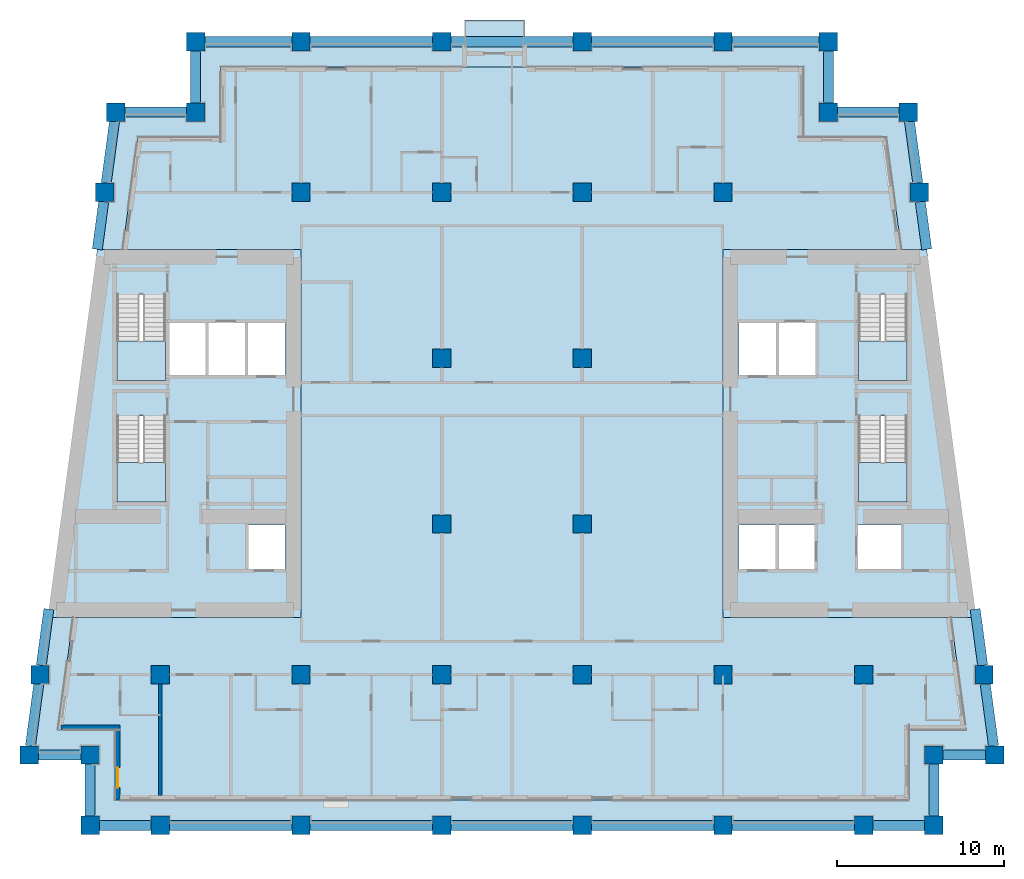
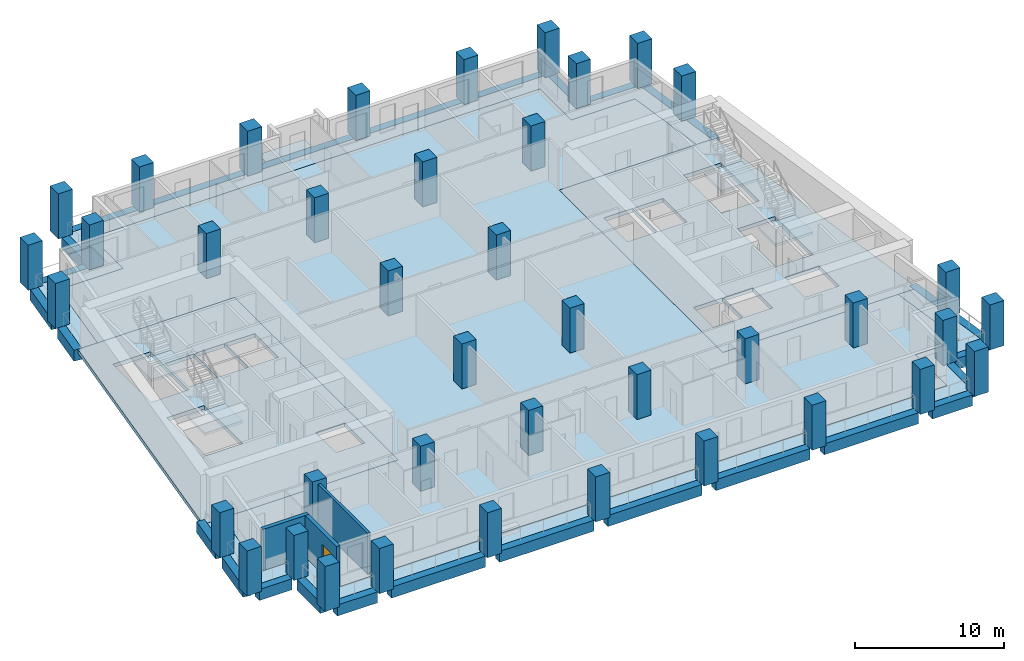
# One storey, part 1 of 13: 40 columns, 28 beams, 10 slabs, 3 walls, 1 door, 1 opening, 4 elements without a shape of their own.
"""IFC4 building model written with IfcOpenShell, lengths in metres."""

from ifc_helpers import new_model, si_unit, direction, frame, frame_2d, origin, origin_2d, place, context, subcontext, project, spatial, polyline, rectangle, outline, extrude, material, layer, layer_set, material_profile, profile_set, type_object, element, fill, aggregate, save


model = new_model("IFC4")

# Units and contexts
model_context = context("Model", 3, precision=1e-05, world=origin(), true_north=direction((0.0, 1.0)))
body_context = subcontext(model_context, "Body", "Model", "MODEL_VIEW")
ifc_project = project(units=[si_unit("LENGTHUNIT", "METRE"), si_unit("AREAUNIT", "SQUARE_METRE"), si_unit("VOLUMEUNIT", "CUBIC_METRE"), si_unit("PLANEANGLEUNIT", "RADIAN"), si_unit("MASSUNIT", "GRAM", prefix="KILO")], contexts=[model_context])

# Site, building, storey
site_placement = place(None, origin())
site = spatial("IfcSite", under=ifc_project, at=site_placement, CompositionType="ELEMENT")
building_placement = place(site_placement, origin())
building = spatial("IfcBuilding", under=site, at=building_placement, Name="Candeia Pilgrim Tower and Theatre", CompositionType="ELEMENT")
storey_placement = place(building_placement, frame((0.0, 0.0, 170.0)))
storey = spatial("IfcBuildingStorey", under=building, at=storey_placement, Name="L40", CompositionType="ELEMENT", Elevation=170.0)

# Columns
ifc_material_1 = material(Name="Concrete C60/75", Category="concrete")
ifc_material_profile_1 = material_profile(ifc_material_1, rectangle(XDim=1.10009765625, YDim=1.10009765625, at=origin_2d()))
ifc_profile_set_1 = profile_set([ifc_material_profile_1], Name="Concrete C60/75")
column_type = type_object("IfcColumnType", Name="RC 1100x1100 C60/75", PredefinedType="COLUMN", material=ifc_profile_set_1)
for number, where, z_axis, x_axis, name in (
    (1, (92.39990234375, 98.0, 0.0), (0.0, 0.0, 1.0), (1.0, 0.0, 0.0), "Column A1"),
    (2, (100.800048828125, 98.0, 0.0), (0.0, 0.0, 1.0), (1.0, 0.0, 0.0), "Column A2"),
    (3, (109.199951171875, 98.0, 0.0), (0.0, 0.0, 1.0), (1.0, 0.0, 0.0), "Column A3"),
    (4, (117.60009765625, 98.0, 0.0), (0.0, 0.0, 1.0), (1.0, 0.0, 0.0), "Column A4"),
    (5, (126.0, 98.0, 0.0), (0.0, 0.0, 1.0), (1.0, 0.0, 0.0), "Column A5"),
    (6, (134.39990234375, 98.0, 0.0), (0.0, 0.0, 1.0), (1.0, 0.0, 0.0), "Column A6"),
    (7, (88.199951171875, 98.0, 0.0), (0.0, 0.0, 1.0), (1.0, 0.0, 0.0), "Column AW"),
    (8, (138.60009765625, 98.0, 0.0), (0.0, 0.0, 1.0), (1.0, 0.0, 0.0), "Column AE"),
    (9, (88.199951171875, 102.199951171875, 0.0), (0.0, 0.0, 1.0), (1.0, 0.0, 0.0), "Column NSW"),
    (10, (138.60009765625, 102.199951171875, 0.0), (0.0, 0.0, 1.0), (1.0, 0.0, 0.0), "Column NSE"),
    (11, (94.5, 140.60009765625, 0.0), (0.0, 0.0, 1.0), (1.0, 0.0, 0.0), "Column NNW"),
    (12, (132.300048828125, 140.60009765625, 0.0), (0.0, 0.0, 1.0), (1.0, 0.0, 0.0), "Column NNE"),
    (13, (84.5654296875, 102.199951171875, 0.0), (0.0, 0.0, 1.0), (1.0, 0.0, 0.0), "Column LSW"),
    (14, (142.234619140625, 102.199951171875, 0.0), (0.0, 0.0, 1.0), (1.0, 0.0, 0.0), "Column LSE"),
    (15, (89.734619140625, 140.60009765625, 0.0), (0.0, 0.0, 1.0), (1.0, 0.0, 0.0), "Column LNW"),
    (16, (137.0654296875, 140.60009765625, 0.0), (0.0, 0.0, 1.0), (1.0, 0.0, 0.0), "Column LNE"),
    (17, (92.39990234375, 107.0, 0.0), (0.0, 0.0, 1.0), (1.0, 0.0, 0.0), "Column B1"),
    (18, (100.800048828125, 107.0, 0.0), (0.0, 0.0, 1.0), (1.0, 0.0, 0.0), "Column B2"),
    (19, (109.199951171875, 107.0, 0.0), (0.0, 0.0, 1.0), (1.0, 0.0, 0.0), "Column B3"),
    (20, (117.60009765625, 107.0, 0.0), (0.0, 0.0, 1.0), (1.0, 0.0, 0.0), "Column B4"),
    (21, (126.0, 107.0, 0.0), (0.0, 0.0, 1.0), (1.0, 0.0, 0.0), "Column B5"),
    (22, (134.39990234375, 107.0, 0.0), (0.0, 0.0, 1.0), (1.0, 0.0, 0.0), "Column B6"),
    (23, (85.21142578125, 107.0, 0.0), (0.0, 0.0, 1.0), (1.0, 0.0, 0.0), "Column BW"),
    (24, (141.58837890625, 107.0, 0.0), (0.0, 0.0, 1.0), (1.0, 0.0, 0.0), "Column BE"),
    (25, (109.199951171875, 116.0, 0.0), (0.0, 0.0, 1.0), (1.0, 0.0, 0.0), "Column C3"),
    (26, (117.60009765625, 116.0, 0.0), (0.0, 0.0, 1.0), (1.0, 0.0, 0.0), "Column C4"),
    (27, (109.199951171875, 125.89990234375, 0.0), (0.0, 0.0, 1.0), (1.0, 0.0, 0.0), "Column D3"),
    (28, (117.60009765625, 125.89990234375, 0.0), (0.0, 0.0, 1.0), (1.0, 0.0, 0.0), "Column D4"),
    (29, (100.800048828125, 135.800048828125, 0.0), (0.0, 0.0, 1.0), (1.0, 0.0, 0.0), "Column E2"),
    (30, (109.199951171875, 135.800048828125, 0.0), (0.0, 0.0, 1.0), (1.0, 0.0, 0.0), "Column E3"),
    (31, (117.60009765625, 135.800048828125, 0.0), (0.0, 0.0, 1.0), (1.0, 0.0, 0.0), "Column E4"),
    (32, (126.0, 135.800048828125, 0.0), (0.0, 0.0, 1.0), (1.0, 0.0, 0.0), "Column E5"),
    (33, (89.08837890625, 135.800048828125, 0.0), (0.0, 0.0, 1.0), (1.0, 0.0, 0.0), "Column EW"),
    (34, (137.71142578125, 135.800048828125, 0.0), (0.0, 0.0, 1.0), (1.0, 0.0, 0.0), "Column EE"),
    (35, (100.800048828125, 144.800048828125, 0.0), (0.0, 0.0, 1.0), (1.0, 0.0, 0.0), "Column F2"),
    (36, (109.199951171875, 144.800048828125, 0.0), (0.0, 0.0, 1.0), (1.0, 0.0, 0.0), "Column F3"),
    (37, (117.60009765625, 144.800048828125, 0.0), (0.0, 0.0, 1.0), (1.0, 0.0, 0.0), "Column F4"),
    (38, (126.0, 144.800048828125, 0.0), (0.0, 0.0, 1.0), (1.0, 0.0, 0.0), "Column F5"),
    (39, (94.5, 144.800048828125, 0.0), (0.0, 0.0, 1.0), (1.0, 0.0, 0.0), "Column FW"),
    (40, (132.300048828125, 144.800048828125, 0.0), (0.0, 0.0, 1.0), (1.0, 0.0, 0.0), "Column FE"),
):
    element("IfcColumn", number, at=place(storey_placement, frame(where, z_axis=z_axis, x_axis=x_axis)), inside=storey, type_object=column_type, Name=name, PredefinedType="COLUMN", context=body_context, shape_type="SweptSolid", body=[
        extrude(rectangle(XDim=1.10009765625, YDim=1.10009765625, at=origin_2d()), origin(), (0.0, 0.0, 1.0), 3.699951171875),
    ])

# Beams
ifc_material_profile_2 = material_profile(ifc_material_1, rectangle(XDim=0.60009765625, YDim=0.89990234375, at=origin_2d()))
ifc_profile_set_2 = profile_set([ifc_material_profile_2], Name="Concrete C60/75")
beam_type = type_object("IfcBeamType", Name="RC 600x900 C60/75", PredefinedType="BEAM", material=ifc_profile_set_2)
beam_1_placement = place(storey_placement, frame((88.75, 98.0, -0.449951171875), z_axis=(1.0, 0.0, 0.0), x_axis=(0.0, 1.0, 0.0)))
element("IfcBeam", 41, at=beam_1_placement, inside=storey, type_object=beam_type, Name="Spandrel beam L40-01", PredefinedType="BEAM", context=body_context, shape_type="SweptSolid", body=[
    extrude(rectangle(XDim=0.60009765625, YDim=0.89990234375, at=origin_2d()), origin(), (0.0, 0.0, 1.0), 3.10009765625),
])
beam_2_placement = place(storey_placement, frame((92.949951171875, 98.0, -0.449951171875), z_axis=(1.0, 0.0, 0.0), x_axis=(0.0, 1.0, 0.0)))
element("IfcBeam", 42, at=beam_2_placement, inside=storey, type_object=beam_type, Name="Spandrel beam L40-02", PredefinedType="BEAM", context=body_context, shape_type="SweptSolid", body=[
    extrude(rectangle(XDim=0.60009765625, YDim=0.89990234375, at=origin_2d()), origin(), (0.0, 0.0, 1.0), 7.300048828125),
])
beam_3_placement = place(storey_placement, frame((101.35009765625, 98.0, -0.449951171875), z_axis=(1.0, 0.0, 0.0), x_axis=(0.0, 1.0, 0.0)))
element("IfcBeam", 43, at=beam_3_placement, inside=storey, type_object=beam_type, Name="Spandrel beam L40-03", PredefinedType="BEAM", context=body_context, shape_type="SweptSolid", body=[
    extrude(rectangle(XDim=0.60009765625, YDim=0.89990234375, at=origin_2d()), origin(), (0.0, 0.0, 1.0), 7.2998046875),
])
for number, where, z_axis, x_axis, name in (
    (44, (109.75, 98.0, -0.449951171875), (1.0, 0.0, 0.0), (0.0, 1.0, 0.0), "Spandrel beam L40-04"),
    (45, (118.14990234375, 98.0, -0.449951171875), (1.0, 0.0, 0.0), (0.0, 1.0, 0.0), "Spandrel beam L40-05"),
    (46, (126.550048828125, 98.0, -0.449951171875), (1.0, 0.0, 0.0), (0.0, 1.0, 0.0), "Spandrel beam L40-06"),
):
    element("IfcBeam", number, at=place(storey_placement, frame(where, z_axis=z_axis, x_axis=x_axis)), inside=storey, type_object=beam_type, Name=name, PredefinedType="BEAM", context=body_context, shape_type="SweptSolid", body=[
        extrude(rectangle(XDim=0.60009765625, YDim=0.89990234375, at=origin_2d()), origin(), (0.0, 0.0, 1.0), 7.300048828125),
    ])
beam_4_placement = place(storey_placement, frame((134.949951171875, 98.0, -0.449951171875), z_axis=(1.0, 0.0, 0.0), x_axis=(0.0, 1.0, 0.0)))
element("IfcBeam", 47, at=beam_4_placement, inside=storey, type_object=beam_type, Name="Spandrel beam L40-07", PredefinedType="BEAM", context=body_context, shape_type="SweptSolid", body=[
    extrude(rectangle(XDim=0.60009765625, YDim=0.89990234375, at=origin_2d()), origin(), (0.0, 0.0, 1.0), 3.10009765625),
])
beam_5_placement = place(storey_placement, frame((138.60009765625, 98.550048828125, -0.449951171875), z_axis=(0.0, 1.0, 0.0), x_axis=(-1.0, 0.0, 0.0)))
element("IfcBeam", 48, at=beam_5_placement, inside=storey, type_object=beam_type, Name="Spandrel beam L40-08", PredefinedType="BEAM", context=body_context, shape_type="SweptSolid", body=[
    extrude(rectangle(XDim=0.60009765625, YDim=0.89990234375, at=origin_2d()), origin(), (0.0, 0.0, 1.0), 3.099853515625),
])
beam_6_placement = place(storey_placement, frame((139.14990234375, 102.199951171875, -0.449951171875), z_axis=(1.0, 0.0, 0.0), x_axis=(0.0, 1.0, 0.0)))
element("IfcBeam", 49, at=beam_6_placement, inside=storey, type_object=beam_type, Name="Spandrel beam L40-09", PredefinedType="BEAM", context=body_context, shape_type="SweptSolid", body=[
    extrude(rectangle(XDim=0.60009765625, YDim=0.89990234375, at=origin_2d()), origin(), (0.0, 0.0, 1.0), 2.53466796875),
])
beam_7_placement = place(storey_placement, frame((142.16064453125, 102.75, -0.449951171875), z_axis=(-0.133405836075, 0.991061492997, 0.0), x_axis=(-0.991061492997, -0.133405836075, 0.0)))
element("IfcBeam", 50, at=beam_7_placement, inside=storey, type_object=beam_type, Name="Spandrel beam L40-10", PredefinedType="BEAM", context=body_context, shape_type="SweptSolid", body=[
    extrude(rectangle(XDim=0.60009765625, YDim=0.89990234375, at=origin_2d()), origin(), (0.0, 0.0, 1.0), 3.7333984375),
])
beam_8_placement = place(storey_placement, frame((141.514404296875, 107.550048828125, -0.449951171875), z_axis=(-0.133432414187, 0.99105791498, 0.0), x_axis=(-0.99105791498, -0.133432414187, 0.0)))
element("IfcBeam", 51, at=beam_8_placement, inside=storey, type_object=beam_type, Name="Spandrel beam L40-11", PredefinedType="BEAM", context=body_context, shape_type="SweptSolid", body=[
    extrude(rectangle(XDim=0.60009765625, YDim=0.89990234375, at=origin_2d()), origin(), (0.0, 0.0, 1.0), 3.390380859375),
])
beam_9_placement = place(storey_placement, frame((138.169189453125, 132.39990234375, -0.449951171875), z_axis=(-0.133370319951, 0.99106627314, 0.0), x_axis=(-0.99106627314, -0.133370319951, 0.0)))
element("IfcBeam", 52, at=beam_9_placement, inside=storey, type_object=beam_type, Name="Spandrel beam L40-12", PredefinedType="BEAM", context=body_context, shape_type="SweptSolid", body=[
    extrude(rectangle(XDim=0.60009765625, YDim=0.89990234375, at=origin_2d()), origin(), (0.0, 0.0, 1.0), 2.875732421875),
])
beam_10_placement = place(storey_placement, frame((137.637451171875, 136.35009765625, -0.449951171875), z_axis=(-0.133405836075, 0.991061492997, 0.0), x_axis=(-0.991061492997, -0.133405836075, 0.0)))
element("IfcBeam", 53, at=beam_10_placement, inside=storey, type_object=beam_type, Name="Spandrel beam L40-13", PredefinedType="BEAM", context=body_context, shape_type="SweptSolid", body=[
    extrude(rectangle(XDim=0.60009765625, YDim=0.89990234375, at=origin_2d()), origin(), (0.0, 0.0, 1.0), 3.7333984375),
])
beam_11_placement = place(storey_placement, frame((136.515380859375, 140.60009765625, -0.449951171875), z_axis=(-1.0, 0.0, 0.0), x_axis=(0.0, -1.0, 0.0)))
element("IfcBeam", 54, at=beam_11_placement, inside=storey, type_object=beam_type, Name="Spandrel beam L40-14", PredefinedType="BEAM", context=body_context, shape_type="SweptSolid", body=[
    extrude(rectangle(XDim=0.60009765625, YDim=0.89990234375, at=origin_2d()), origin(), (0.0, 0.0, 1.0), 3.665283203125),
])
beam_12_placement = place(storey_placement, frame((132.300048828125, 141.14990234375, -0.449951171875), z_axis=(0.0, 1.0, 0.0), x_axis=(-1.0, 0.0, 0.0)))
element("IfcBeam", 55, at=beam_12_placement, inside=storey, type_object=beam_type, Name="Spandrel beam L40-15", PredefinedType="BEAM", context=body_context, shape_type="SweptSolid", body=[
    extrude(rectangle(XDim=0.60009765625, YDim=0.89990234375, at=origin_2d()), origin(), (0.0, 0.0, 1.0), 3.10009765625),
])
beam_13_placement = place(storey_placement, frame((131.75, 144.800048828125, -0.449951171875), z_axis=(-1.0, 0.0, 0.0), x_axis=(0.0, -1.0, 0.0)))
element("IfcBeam", 56, at=beam_13_placement, inside=storey, type_object=beam_type, Name="Spandrel beam L40-16", PredefinedType="BEAM", context=body_context, shape_type="SweptSolid", body=[
    extrude(rectangle(XDim=0.60009765625, YDim=0.89990234375, at=origin_2d()), origin(), (0.0, 0.0, 1.0), 5.199951171875),
])
for number, where, z_axis, x_axis, name in (
    (57, (125.449951171875, 144.800048828125, -0.449951171875), (-1.0, 0.0, 0.0), (0.0, -1.0, 0.0), "Spandrel beam L40-17"),
    (58, (117.050048828125, 144.800048828125, -0.449951171875), (-1.0, 0.0, 0.0), (0.0, -1.0, 0.0), "Spandrel beam L40-18"),
):
    element("IfcBeam", number, at=place(storey_placement, frame(where, z_axis=z_axis, x_axis=x_axis)), inside=storey, type_object=beam_type, Name=name, PredefinedType="BEAM", context=body_context, shape_type="SweptSolid", body=[
        extrude(rectangle(XDim=0.60009765625, YDim=0.89990234375, at=origin_2d()), origin(), (0.0, 0.0, 1.0), 7.300048828125),
    ])
beam_14_placement = place(storey_placement, frame((108.64990234375, 144.800048828125, -0.449951171875), z_axis=(-1.0, 0.0, 0.0), x_axis=(0.0, -1.0, 0.0)))
element("IfcBeam", 59, at=beam_14_placement, inside=storey, type_object=beam_type, Name="Spandrel beam L40-19", PredefinedType="BEAM", context=body_context, shape_type="SweptSolid", body=[
    extrude(rectangle(XDim=0.60009765625, YDim=0.89990234375, at=origin_2d()), origin(), (0.0, 0.0, 1.0), 7.2998046875),
])
beam_15_placement = place(storey_placement, frame((100.25, 144.800048828125, -0.449951171875), z_axis=(-1.0, 0.0, 0.0), x_axis=(0.0, -1.0, 0.0)))
element("IfcBeam", 60, at=beam_15_placement, inside=storey, type_object=beam_type, Name="Spandrel beam L40-20", PredefinedType="BEAM", context=body_context, shape_type="SweptSolid", body=[
    extrude(rectangle(XDim=0.60009765625, YDim=0.89990234375, at=origin_2d()), origin(), (0.0, 0.0, 1.0), 5.199951171875),
])
beam_16_placement = place(storey_placement, frame((94.5, 144.25, -0.449951171875), z_axis=(0.0, -1.0, 0.0), x_axis=(1.0, 0.0, 0.0)))
element("IfcBeam", 61, at=beam_16_placement, inside=storey, type_object=beam_type, Name="Spandrel beam L40-21", PredefinedType="BEAM", context=body_context, shape_type="SweptSolid", body=[
    extrude(rectangle(XDim=0.60009765625, YDim=0.89990234375, at=origin_2d()), origin(), (0.0, 0.0, 1.0), 3.10009765625),
])
beam_17_placement = place(storey_placement, frame((93.949951171875, 140.60009765625, -0.449951171875), z_axis=(-1.0, 0.0, 0.0), x_axis=(0.0, -1.0, 0.0)))
element("IfcBeam", 62, at=beam_17_placement, inside=storey, type_object=beam_type, Name="Spandrel beam L40-22", PredefinedType="BEAM", context=body_context, shape_type="SweptSolid", body=[
    extrude(rectangle(XDim=0.60009765625, YDim=0.89990234375, at=origin_2d()), origin(), (0.0, 0.0, 1.0), 3.665283203125),
])
beam_18_placement = place(storey_placement, frame((89.66064453125, 140.050048828125, -0.449951171875), z_axis=(-0.133405836075, -0.991061492997, 0.0), x_axis=(0.991061492997, -0.133405836075, 0.0)))
element("IfcBeam", 63, at=beam_18_placement, inside=storey, type_object=beam_type, Name="Spandrel beam L40-23", PredefinedType="BEAM", context=body_context, shape_type="SweptSolid", body=[
    extrude(rectangle(XDim=0.60009765625, YDim=0.89990234375, at=origin_2d()), origin(), (0.0, 0.0, 1.0), 3.7333984375),
])
beam_19_placement = place(storey_placement, frame((89.014404296875, 135.25, -0.449951171875), z_axis=(-0.133370319951, -0.99106627314, 0.0), x_axis=(0.99106627314, -0.133370319951, 0.0)))
element("IfcBeam", 64, at=beam_19_placement, inside=storey, type_object=beam_type, Name="Spandrel beam L40-24", PredefinedType="BEAM", context=body_context, shape_type="SweptSolid", body=[
    extrude(rectangle(XDim=0.60009765625, YDim=0.89990234375, at=origin_2d()), origin(), (0.0, 0.0, 1.0), 2.875732421875),
])
beam_20_placement = place(storey_placement, frame((85.73779296875, 110.91015625, -0.449951171875), z_axis=(-0.133361686371, -0.991067434945, 0.0), x_axis=(0.991067434945, -0.133361686371, 0.0)))
element("IfcBeam", 65, at=beam_20_placement, inside=storey, type_object=beam_type, Name="Spandrel beam L40-25", PredefinedType="BEAM", context=body_context, shape_type="SweptSolid", body=[
    extrude(rectangle(XDim=0.60009765625, YDim=0.89990234375, at=origin_2d()), origin(), (0.0, 0.0, 1.0), 3.390380859375),
])
beam_21_placement = place(storey_placement, frame((85.137451171875, 106.449951171875, -0.449951171875), z_axis=(-0.133405836075, -0.991061492997, 0.0), x_axis=(0.991061492997, -0.133405836075, 0.0)))
element("IfcBeam", 66, at=beam_21_placement, inside=storey, type_object=beam_type, Name="Spandrel beam L40-26", PredefinedType="BEAM", context=body_context, shape_type="SweptSolid", body=[
    extrude(rectangle(XDim=0.60009765625, YDim=0.89990234375, at=origin_2d()), origin(), (0.0, 0.0, 1.0), 3.7333984375),
])
beam_22_placement = place(storey_placement, frame((85.115478515625, 102.199951171875, -0.449951171875), z_axis=(1.0, 0.0, 0.0), x_axis=(0.0, 1.0, 0.0)))
element("IfcBeam", 67, at=beam_22_placement, inside=storey, type_object=beam_type, Name="Spandrel beam L40-27", PredefinedType="BEAM", context=body_context, shape_type="SweptSolid", body=[
    extrude(rectangle(XDim=0.60009765625, YDim=0.89990234375, at=origin_2d()), origin(), (0.0, 0.0, 1.0), 2.534423828125),
])
beam_23_placement = place(storey_placement, frame((88.199951171875, 101.64990234375, -0.449951171875), z_axis=(0.0, -1.0, 0.0), x_axis=(1.0, 0.0, 0.0)))
element("IfcBeam", 68, at=beam_23_placement, inside=storey, type_object=beam_type, Name="Spandrel beam L40-28", PredefinedType="BEAM", context=body_context, shape_type="SweptSolid", body=[
    extrude(rectangle(XDim=0.60009765625, YDim=0.89990234375, at=origin_2d()), origin(), (0.0, 0.0, 1.0), 3.099853515625),
])

# Slabs
ifc_material_2 = material(Name="Concrete C40/50", Category="concrete")
ifc_layer_1 = layer(ifc_material_2, 0.25)
ifc_layer_set_1 = layer_set([ifc_layer_1], Name="BK1 balcony slab 250")
slab_type_1 = type_object("IfcSlabType", Name="BK1 balcony slab 250", PredefinedType="USERDEFINED", material=ifc_layer_set_1)
slab_1_placement = place(storey_placement, frame((0.0, 0.0, -0.25)))
element("IfcSlab", 69, at=slab_1_placement, inside=storey, type_object=slab_type_1, Name="Balcony L40", ObjectType="BALCONY", PredefinedType="USERDEFINED", context=body_context, shape_type="SweptSolid", body=[
    extrude(outline(polyline([(110.550048828125, 144.5), (114.14990234375, 144.5), (114.14990234375, 146.10009765625), (110.550048828125, 146.10009765625), (110.550048828125, 144.5)])), origin(), (0.0, 0.0, 1.0), 0.25),
])
ifc_layer_2 = layer(ifc_material_1, 0.320068359375)
ifc_layer_set_2 = layer_set([ifc_layer_2], Name="FS-CORE 320 core floor")
slab_type_2 = type_object("IfcSlabType", Name="FS-CORE 320 core floor", PredefinedType="FLOOR", material=ifc_layer_set_2)
slab_2_placement = place(storey_placement, frame((0.0, 0.0, -0.320068359375)))
element("IfcSlab", 70, at=slab_2_placement, inside=storey, type_object=slab_type_2, Name="Core floor W L40", PredefinedType="FLOOR", context=body_context, shape_type="SweptSolid", body=[
    extrude(outline(polyline([(100.800048828125, 132.39990234375), (100.800048828125, 110.39990234375), (85.669189453125, 110.39990234375), (88.630859375, 132.39990234375), (100.800048828125, 132.39990234375)]), holes=[polyline([(97.59228515625, 128.050048828125), (97.59228515625, 124.85009765625), (99.85009765625, 124.85009765625), (99.85009765625, 128.050048828125), (97.59228515625, 128.050048828125)]), polyline([(97.613525390625, 113.25), (99.85009765625, 113.25), (99.85009765625, 115.949951171875), (97.613525390625, 115.949951171875), (97.613525390625, 113.25)]), polyline([(95.234619140625, 124.85009765625), (97.4921875, 124.85009765625), (97.4921875, 128.050048828125), (95.234619140625, 128.050048828125), (95.234619140625, 124.85009765625)]), polyline([(92.876953125, 128.050048828125), (92.876953125, 124.85009765625), (95.134765625, 124.85009765625), (95.134765625, 128.050048828125), (92.876953125, 128.050048828125)]), polyline([(89.802001953125, 122.455078125), (89.802001953125, 117.324951171875), (92.701904296875, 117.324951171875), (92.701904296875, 122.455078125), (89.802001953125, 122.455078125)]), polyline([(89.802001953125, 129.705078125), (89.802001953125, 124.574951171875), (92.701904296875, 124.574951171875), (92.701904296875, 129.705078125), (89.802001953125, 129.705078125)])]), origin(), (0.0, 0.0, 1.0), 0.320068359375),
])
slab_3_placement = place(storey_placement, frame((0.0, 0.0, -0.320068359375)))
element("IfcSlab", 71, at=slab_3_placement, inside=storey, type_object=slab_type_2, Name="Core floor E L40", PredefinedType="FLOOR", context=body_context, shape_type="SweptSolid", body=[
    extrude(outline(polyline([(138.169189453125, 132.39990234375), (141.130859375, 110.39990234375), (126.0, 110.39990234375), (126.0, 132.39990234375), (138.169189453125, 132.39990234375)]), holes=[polyline([(134.097900390625, 122.455078125), (134.097900390625, 117.324951171875), (136.998046875, 117.324951171875), (136.998046875, 122.455078125), (134.097900390625, 122.455078125)]), polyline([(134.097900390625, 129.705078125), (134.097900390625, 124.574951171875), (136.998046875, 124.574951171875), (136.998046875, 129.705078125), (134.097900390625, 129.705078125)]), polyline([(136.672607421875, 115.949951171875), (134.02294921875, 115.949951171875), (134.02294921875, 113.25), (136.672607421875, 113.25), (136.672607421875, 115.949951171875)]), polyline([(131.565185546875, 128.050048828125), (129.3076171875, 128.050048828125), (129.3076171875, 124.85009765625), (131.565185546875, 124.85009765625), (131.565185546875, 128.050048828125)]), polyline([(131.52294921875, 115.949951171875), (129.28662109375, 115.949951171875), (129.28662109375, 113.25), (131.52294921875, 113.25), (131.52294921875, 115.949951171875)]), polyline([(129.207763671875, 128.050048828125), (126.949951171875, 128.050048828125), (126.949951171875, 124.85009765625), (129.207763671875, 124.85009765625), (129.207763671875, 128.050048828125)]), polyline([(126.949951171875, 115.949951171875), (126.949951171875, 113.25), (129.1865234375, 113.25), (129.1865234375, 115.949951171875), (126.949951171875, 115.949951171875)])]), origin(), (0.0, 0.0, 1.0), 0.320068359375),
])
ifc_material_3 = material(Name="Concrete C50/60", Category="concrete")
ifc_layer_3 = layer(ifc_material_3, 0.320068359375)
ifc_layer_set_3 = layer_set([ifc_layer_3], Name="Floor slab 320 C50/60")
slab_type_3 = type_object("IfcSlabType", Name="Floor slab 320 C50/60", PredefinedType="FLOOR", material=ifc_layer_set_3)
slab_4_placement = place(storey_placement, frame((0.0, 0.0, -0.320068359375)))
element("IfcSlab", 72, at=slab_4_placement, inside=storey, type_object=slab_type_3, Name="Floor slab L40", PredefinedType="FLOOR", context=body_context, shape_type="SweptSolid", body=[
    extrude(outline(polyline([(96.0, 139.10009765625), (96.0, 143.300048828125), (130.800048828125, 143.300048828125), (130.800048828125, 139.10009765625), (135.753662109375, 139.10009765625), (136.65576171875, 132.39990234375), (126.0, 132.39990234375), (126.0, 110.39990234375), (139.6171875, 110.39990234375), (140.51904296875, 103.699951171875), (137.10009765625, 103.699951171875), (137.10009765625, 99.5), (89.699951171875, 99.5), (89.699951171875, 103.699951171875), (86.28076171875, 103.699951171875), (87.182861328125, 110.39990234375), (100.800048828125, 110.39990234375), (100.800048828125, 132.39990234375), (90.144287109375, 132.39990234375), (91.046142578125, 139.10009765625), (96.0, 139.10009765625)])), origin(), (0.0, 0.0, 1.0), 0.320068359375),
])
ifc_layer_4 = layer(ifc_material_2, 0.25)
ifc_layer_set_4 = layer_set([ifc_layer_4], Name="Loggia slab 250 C40/50")
slab_type_4 = type_object("IfcSlabType", Name="Loggia slab 250 C40/50", PredefinedType="FLOOR", material=ifc_layer_set_4)
slab_5_placement = place(storey_placement, frame((0.0, 0.0, -0.25)))
element("IfcSlab", 73, at=slab_5_placement, inside=storey, type_object=slab_type_4, Name="Loggia slab L40 1", PredefinedType="FLOOR", context=body_context, shape_type="SweptSolid", body=[
    extrude(outline(polyline([(87.182861328125, 110.39990234375), (86.28076171875, 103.699951171875), (89.699951171875, 103.699951171875), (89.699951171875, 99.5), (137.10009765625, 99.5), (137.10009765625, 103.699951171875), (140.51904296875, 103.699951171875), (139.6171875, 110.39990234375), (140.828125, 110.39990234375), (141.8916015625, 102.5), (138.300048828125, 102.5), (138.300048828125, 98.300048828125), (88.5, 98.300048828125), (88.5, 102.5), (84.908447265625, 102.5), (85.971923828125, 110.39990234375), (87.182861328125, 110.39990234375)])), origin(), (0.0, 0.0, 1.0), 0.25),
])
slab_6_placement = place(storey_placement, frame((0.0, 0.0, -0.25)))
element("IfcSlab", 74, at=slab_6_placement, inside=storey, type_object=slab_type_4, Name="Loggia slab L40 2", PredefinedType="FLOOR", context=body_context, shape_type="SweptSolid", body=[
    extrude(outline(polyline([(136.65576171875, 132.39990234375), (135.753662109375, 139.10009765625), (130.800048828125, 139.10009765625), (130.800048828125, 143.300048828125), (96.0, 143.300048828125), (96.0, 139.10009765625), (91.046142578125, 139.10009765625), (90.144287109375, 132.39990234375), (88.93359375, 132.39990234375), (89.996826171875, 140.300048828125), (94.800048828125, 140.300048828125), (94.800048828125, 144.5), (132.0, 144.5), (132.0, 140.300048828125), (136.802978515625, 140.300048828125), (137.866455078125, 132.39990234375), (136.65576171875, 132.39990234375)])), origin(), (0.0, 0.0, 1.0), 0.25),
])

# Stair, slab
stair_type = type_object("IfcStairType", Name="ST-TWR dog-leg escape stair", PredefinedType="HALF_TURN_STAIR", material=ifc_material_2)
stair_1_placement = place(storey_placement, origin())
stair_1 = element("IfcStair", 75, at=stair_1_placement, inside=storey, type_object=stair_type, Name="L40 Escape stair ST1", PredefinedType="HALF_TURN_STAIR")
ifc_layer_5 = layer(ifc_material_2, 0.199951171875)
ifc_layer_set_5 = layer_set([ifc_layer_5], Name="SL-LANDING stair landing")
slab_type_5 = type_object("IfcSlabType", Name="SL-LANDING stair landing", PredefinedType="LANDING", material=ifc_layer_set_5)
slab_7_placement = place(storey_placement, frame((0.0, 0.0, 1.64990234375)))
slab_7 = element("IfcSlab", 76, at=slab_7_placement, type_object=slab_type_5, Name="ST1 landing 1", PredefinedType="LANDING", context=body_context, shape_type="SweptSolid", body=[
    extrude(outline(polyline([(89.802001953125, 119.675048828125), (89.802001953125, 117.324951171875), (92.701904296875, 117.324951171875), (92.701904296875, 119.675048828125), (89.802001953125, 119.675048828125)])), origin(), (0.0, 0.0, 1.0), 0.2001953125),
])
aggregate(stair_1, [slab_7])

stair_2_placement = place(storey_placement, origin())
stair_2 = element("IfcStair", 77, at=stair_2_placement, inside=storey, type_object=stair_type, Name="L40 Escape stair ST2", PredefinedType="HALF_TURN_STAIR")
slab_8_placement = place(storey_placement, frame((0.0, 0.0, 1.64990234375)))
slab_8 = element("IfcSlab", 78, at=slab_8_placement, type_object=slab_type_5, Name="ST2 landing 1", PredefinedType="LANDING", context=body_context, shape_type="SweptSolid", body=[
    extrude(outline(polyline([(89.802001953125, 126.925048828125), (89.802001953125, 124.574951171875), (92.701904296875, 124.574951171875), (92.701904296875, 126.925048828125), (89.802001953125, 126.925048828125)])), origin(), (0.0, 0.0, 1.0), 0.2001953125),
])
aggregate(stair_2, [slab_8])

stair_3_placement = place(storey_placement, origin())
stair_3 = element("IfcStair", 79, at=stair_3_placement, inside=storey, type_object=stair_type, Name="L40 Escape stair ST3", PredefinedType="HALF_TURN_STAIR")
slab_9_placement = place(storey_placement, frame((0.0, 0.0, 1.64990234375)))
slab_9 = element("IfcSlab", 80, at=slab_9_placement, type_object=slab_type_5, Name="ST3 landing 1", PredefinedType="LANDING", context=body_context, shape_type="SweptSolid", body=[
    extrude(outline(polyline([(134.097900390625, 119.675048828125), (134.097900390625, 117.324951171875), (136.998046875, 117.324951171875), (136.998046875, 119.675048828125), (134.097900390625, 119.675048828125)])), origin(), (0.0, 0.0, 1.0), 0.2001953125),
])
aggregate(stair_3, [slab_9])

stair_4_placement = place(storey_placement, origin())
stair_4 = element("IfcStair", 81, at=stair_4_placement, inside=storey, type_object=stair_type, Name="L40 Escape stair ST4", PredefinedType="HALF_TURN_STAIR")
slab_10_placement = place(storey_placement, frame((0.0, 0.0, 1.64990234375)))
slab_10 = element("IfcSlab", 82, at=slab_10_placement, type_object=slab_type_5, Name="ST4 landing 1", PredefinedType="LANDING", context=body_context, shape_type="SweptSolid", body=[
    extrude(outline(polyline([(134.097900390625, 126.925048828125), (134.097900390625, 124.574951171875), (136.998046875, 124.574951171875), (136.998046875, 126.925048828125), (134.097900390625, 126.925048828125)])), origin(), (0.0, 0.0, 1.0), 0.2001953125),
])
aggregate(stair_4, [slab_10])

# Wall
ifc_material_4 = material(Name="Ceramic block masonry", Category="masonry")
ifc_layer_6 = layer(ifc_material_4, 0.300048828125)
ifc_layer_set_6 = layer_set([ifc_layer_6], Name="EW1 glazing-line wall 300")
wall_type_1 = type_object("IfcWallType", Name="EW1 glazing-line wall 300", PredefinedType="SOLIDWALL", material=ifc_layer_set_6)
wall_1_placement = place(storey_placement, frame((86.452392578125, 103.85009765625, 0.0), z_axis=(0.0, 0.0, 1.0), x_axis=(1.0, 0.0, 0.0)))
element("IfcWall", 83, at=wall_1_placement, inside=storey, type_object=wall_type_1, Name="External wall L40-10.0", PredefinedType="SOLIDWALL", context=body_context, shape_type="SweptSolid", body=[
    extrude(rectangle(XDim=3.547607421875, YDim=0.300048828125, at=frame_2d((1.77392578125, 0.0))), origin(), (0.0, 0.0, 1.0), 3.3798828125),
])

# Wall, opening, door
wall_2_placement = place(storey_placement, frame((89.85009765625, 103.85009765625, 0.0), z_axis=(0.0, 0.0, 1.0), x_axis=(0.0, -1.0, 0.0)))
wall_2 = element("IfcWall", 84, at=wall_2_placement, inside=storey, type_object=wall_type_1, Name="External wall L40-11.0", PredefinedType="SOLIDWALL", context=body_context, shape_type="SweptSolid", body=[
    extrude(rectangle(XDim=4.35009765625, YDim=0.300048828125, at=frame_2d((2.175048828125, 0.0))), origin(), (0.0, 0.0, 1.0), 3.3798828125),
])
opening_placement = place(wall_2_placement, frame((2.39990234375, 0.0, 0.0)))
opening = element("IfcOpeningElement", 85, at=opening_placement, cuts=wall_2, Name="Opening L40-ED391", PredefinedType="OPENING", context=body_context, shape_type="SweptSolid", body=[
    extrude(rectangle(XDim=1.199951171875, YDim=2.39990234375, at=frame_2d((0.60009765625, 1.199951171875))), frame((0.0, 0.16015625, 0.0), z_axis=(0.0, -1.0, 0.0), x_axis=(1.0, 0.0, 0.0)), (0.0, 0.0, 1.0), 0.320068359375),
])
ifc_material_5 = material(Name="Aluminium framed glazed door", Category="aluminium")
door_type = type_object("IfcDoorType", Name="Loggia door 1200x2400", OperationType="DOUBLE_DOOR_SINGLE_SWING", PredefinedType="DOOR", material=ifc_material_5)
door_placement = place(opening_placement, origin())
door = element("IfcDoor", 86, at=door_placement, inside=storey, type_object=door_type, Name="Loggia door L40-ED391", OperationType="DOUBLE_DOOR_SINGLE_SWING", OverallHeight=2.39990234375, OverallWidth=1.199951171875, PredefinedType="DOOR", context=body_context, shape_type="SweptSolid", body=[
    extrude(rectangle(XDim=1.199951171875, YDim=2.39990234375, at=frame_2d((0.60009765625, 1.199951171875))), frame((0.0, 0.02490234375, 0.0), z_axis=(0.0, -1.0, 0.0), x_axis=(1.0, 0.0, 0.0)), (0.0, 0.0, 1.0), 0.050048828125),
])
fill(opening, door)

# Wall
ifc_material_6 = material(Name="Gypsum board partition on steel studs", Category="steel")
ifc_layer_7 = layer(ifc_material_6, 0.199951171875)
ifc_layer_set_7 = layer_set([ifc_layer_7], Name="PW-200 party wall")
wall_type_2 = type_object("IfcWallType", Name="PW-200 party wall", PredefinedType="PARTITIONING", material=ifc_layer_set_7)
wall_3_placement = place(storey_placement, frame((92.39990234375, 99.7900390625, 0.0), z_axis=(0.0, 0.0, 1.0), x_axis=(0.0, 1.0, 0.0)))
element("IfcWall", 87, at=wall_3_placement, inside=storey, type_object=wall_type_2, Name="Party wall L40-052", PredefinedType="PARTITIONING", context=body_context, shape_type="SweptSolid", body=[
    extrude(rectangle(XDim=7.135009765625, YDim=0.199951171875, at=frame_2d((3.5673828125, 0.0))), origin(), (0.0, 0.0, 1.0), 3.3798828125),
])

save(model, "model.ifc")
